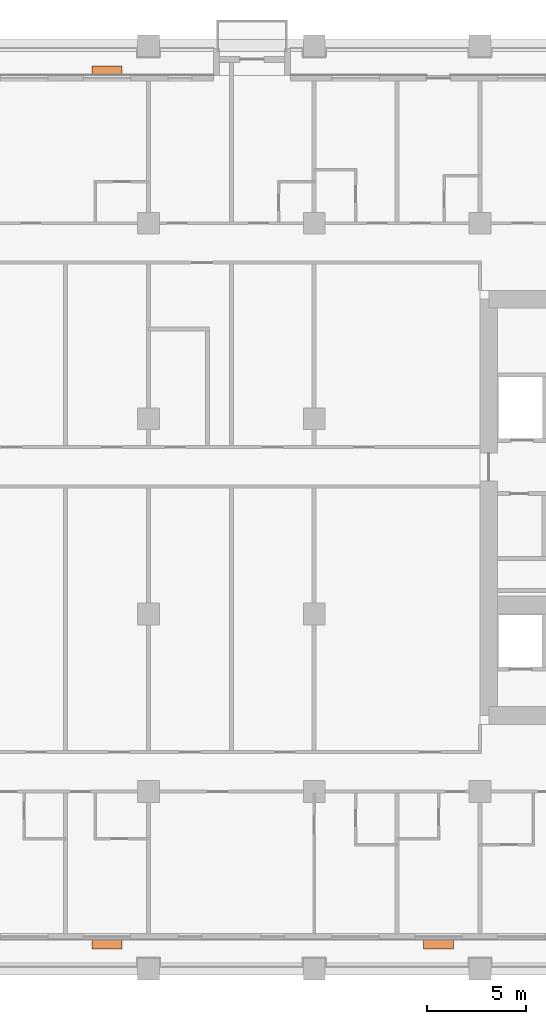
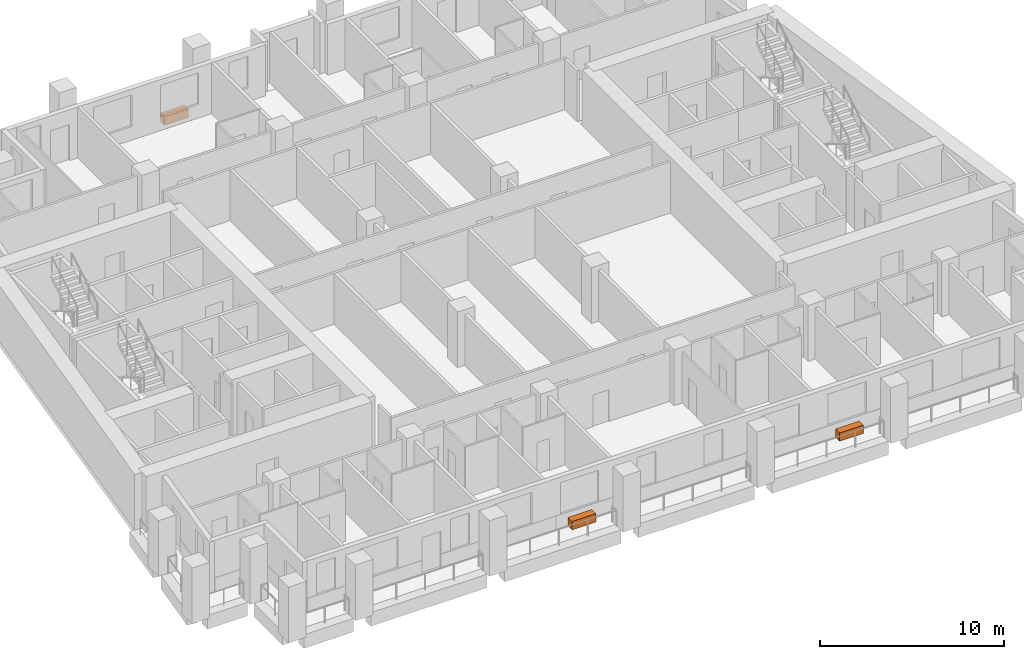
# One storey, part 13 of 13: 3 proxies.
"""IFC4 building model written with IfcOpenShell, lengths in metres."""

from ifc_helpers import new_model, si_unit, direction, frame, origin, origin_2d, place, context, subcontext, project, spatial, rectangle, extrude, element, save


model = new_model("IFC4")

# Units and contexts
model_context = context("Model", 3, precision=1e-05, world=origin(), true_north=direction((0.0, 1.0)))
body_context = subcontext(model_context, "Body", "Model", "MODEL_VIEW")
ifc_project = project(units=[si_unit("LENGTHUNIT", "METRE"), si_unit("AREAUNIT", "SQUARE_METRE"), si_unit("VOLUMEUNIT", "CUBIC_METRE"), si_unit("PLANEANGLEUNIT", "RADIAN"), si_unit("MASSUNIT", "GRAM", prefix="KILO")], contexts=[model_context])

# Site, building, storey
site_placement = place(None, origin())
site = spatial("IfcSite", under=ifc_project, at=site_placement, CompositionType="ELEMENT")
building_placement = place(site_placement, origin())
building = spatial("IfcBuilding", under=site, at=building_placement, Name="Candeia Pilgrim Tower and Theatre", CompositionType="ELEMENT")
storey_placement = place(building_placement, frame((0.0, 0.0, 181.10009765625)))
storey = spatial("IfcBuildingStorey", under=building, at=storey_placement, Name="L43", CompositionType="ELEMENT", Elevation=181.10009765625)

# Proxies
for number, where, z_axis, x_axis, name in (
    (1, (107.10009765625, 99.2548828125, 0.0), (0.0, 0.0, 1.0), (1.0, 0.0, 0.0), "Planter"),
    (2, (123.89990234375, 99.2548828125, 0.0), (0.0, 0.0, 1.0), (1.0, 0.0, 0.0), "Planter"),
    (3, (107.10009765625, 143.544921875, 0.0), (0.0, 0.0, 1.0), (-1.0, 0.0, 0.0), "Planter"),
):
    element("IfcBuildingElementProxy", number, at=place(storey_placement, frame(where, z_axis=z_axis, x_axis=x_axis)), inside=storey, Name=name, ObjectType="PLANTER", PredefinedType="USERDEFINED", context=body_context, shape_type="SweptSolid", body=[
        extrude(rectangle(XDim=1.5, YDim=0.449951171875, at=origin_2d()), origin(), (0.0, 0.0, 1.0), 0.550048828125),
    ])

save(model, "model.ifc")
